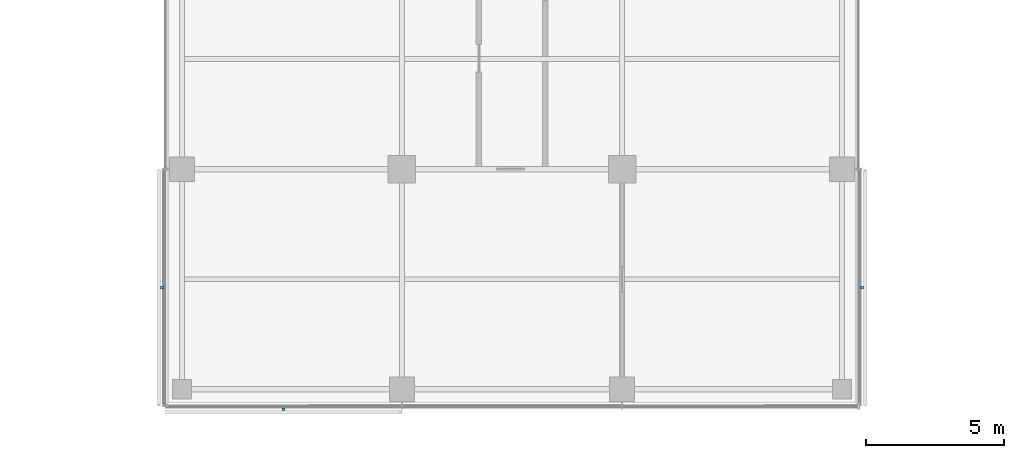
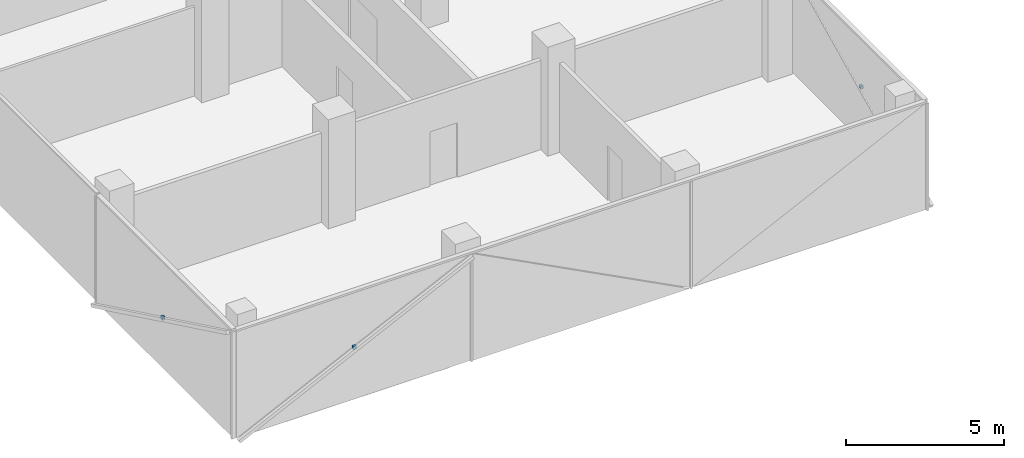
# One storey, part 18 of 22: 3 discrete accessories.
"""IFC4 building model written with IfcOpenShell, lengths in metres."""

import ifcopenshell
import ifcopenshell.guid

model = None  # the IFC model being written
_history = None  # IfcOwnerHistory: only IFC2X3 demands one
_inside = {}  # id of a spatial element -> (the spatial element, [elements in it])
_under = {}  # id of a project, library or spatial element -> (it, [spatial elements below it])
_declared = {}  # id of a project -> (the project, [libraries it declares])
_typed = {}  # id of a type object -> (the type object, [elements of that type])
_made_of = {}  # id of a material, layer set ... -> (it, [elements and type objects made of it])


def new_model(schema):
    """Start an empty IFC model of exactly this schema.

    Asked for "IFC4X3", IfcOpenShell would pick the latest addendum, in which some entities
    have other attributes; the version numbers below select the first issue.
    IFC2X3 requires an IfcOwnerHistory on every rooted entity: one is made here for all.
    """
    global model, _history
    if schema == "IFC4X3":
        model = ifcopenshell.file(schema_version=(4, 3, 0, 0))
    else:
        model = ifcopenshell.file(schema=schema)
    _inside.clear()
    _under.clear()
    _declared.clear()
    _typed.clear()
    _made_of.clear()
    _history = None
    if model.schema == "IFC2X3":
        org = make("IfcOrganization", Name="unknown")
        user = make(
            "IfcPersonAndOrganization",
            ThePerson=make("IfcPerson", FamilyName="unknown"),
            TheOrganization=org,
        )
        app = make(
            "IfcApplication",
            ApplicationDeveloper=org,
            Version="unknown",
            ApplicationFullName="unknown",
            ApplicationIdentifier="unknown",
        )
        _history = make(
            "IfcOwnerHistory",
            OwningUser=user,
            OwningApplication=app,
            ChangeAction="ADDED",
            CreationDate=0,
        )
    return model


def make(cls, **values):
    """One entity of the class cls with the attributes given. An attribute that is None is left unset."""
    return model.create_entity(
        cls, **{name: value for name, value in values.items() if value is not None}
    )


def rooted(cls, **values):
    """An entity with a GlobalId (a new one), such as an element, a storey or a relation."""
    return make(cls, GlobalId=ifcopenshell.guid.new(), OwnerHistory=_history, **values)


def si_unit(unit_type, name, prefix=None):
    """IfcSIUnit, for example si_unit("LENGTHUNIT", "METRE", prefix="MILLI")."""
    return make("IfcSIUnit", UnitType=unit_type, Prefix=prefix, Name=name)


def assignment(units):
    """IfcUnitAssignment: the units of a project."""
    return None if units is None else make("IfcUnitAssignment", Units=units)


def point(xyz):
    """IfcCartesianPoint."""
    return None if xyz is None else make("IfcCartesianPoint", Coordinates=xyz)


def direction(xyz):
    """IfcDirection."""
    return None if xyz is None else make("IfcDirection", DirectionRatios=xyz)


def frame(location, z_axis=None, x_axis=None):
    """IfcAxis2Placement3D, a coordinate frame: its origin and axes. An axis left out is left unset."""
    return make(
        "IfcAxis2Placement3D",
        Location=point(location),
        Axis=direction(z_axis),
        RefDirection=direction(x_axis),
    )


def frame_2d(location, x_axis=None):
    """IfcAxis2Placement2D, a coordinate frame in the plane: its origin and x axis."""
    return make(
        "IfcAxis2Placement2D", Location=point(location), RefDirection=direction(x_axis)
    )


def origin():
    """The frame at (0, 0, 0) with its axes left unset."""
    return frame((0.0, 0.0, 0.0))


def origin_2d():
    """The frame at (0, 0) in the plane with its x axis left unset."""
    return frame_2d((0.0, 0.0))


def place(relative_to, where):
    """IfcLocalPlacement: puts the frame where relative to a parent placement (None: the world)."""
    return make(
        "IfcLocalPlacement", PlacementRelTo=relative_to, RelativePlacement=where
    )


def context(
    kind, dimensions, precision=None, world=None, true_north=None, identifier=None
):
    """IfcGeometricRepresentationContext, for example the 3D "Model" context."""
    return make(
        "IfcGeometricRepresentationContext",
        ContextIdentifier=identifier,
        ContextType=kind,
        CoordinateSpaceDimension=dimensions,
        Precision=precision,
        WorldCoordinateSystem=world,
        TrueNorth=true_north,
    )


def subcontext(parent, identifier, kind, view, scale=None):
    """IfcGeometricRepresentationSubContext, for example "Body" below "Model"."""
    return make(
        "IfcGeometricRepresentationSubContext",
        ContextIdentifier=identifier,
        ContextType=kind,
        ParentContext=parent,
        TargetScale=scale,
        TargetView=view,
    )


def project(units=None, contexts=None):
    """IfcProject with its units and contexts."""
    return rooted(
        "IfcProject",
        Name="project",
        RepresentationContexts=contexts,
        UnitsInContext=assignment(units),
    )


def spatial(cls, under=None, at=None, **own):
    """A site, building, storey or space (cls), placed at a placement, below another one or the project."""
    s = rooted(cls, ObjectPlacement=at, **own)
    if under is not None:
        _under.setdefault(under.id(), (under, []))[1].append(s)
    return s


def profile(cls, at=None, kind="AREA", **sizes):
    """A parametric profile (cls). Its sizes go by their IFC names, for example OverallWidth=200.0."""
    return make(cls, ProfileType=kind, Position=at, **sizes)


def rectangle(**sizes):
    """IfcRectangleProfileDef."""
    return profile("IfcRectangleProfileDef", **sizes)


def extrude(swept, where, along, depth):
    """IfcExtrudedAreaSolid: the profile swept, set in the frame where, extruded along a direction by depth."""
    return make(
        "IfcExtrudedAreaSolid",
        SweptArea=swept,
        Position=where,
        ExtrudedDirection=direction(along),
        Depth=depth,
    )


def shape(context_of_items, identifier, shape_type, items):
    """IfcShapeRepresentation: the items that make up one representation, for example the "Body"."""
    return make(
        "IfcShapeRepresentation",
        ContextOfItems=context_of_items,
        RepresentationIdentifier=identifier,
        RepresentationType=shape_type,
        Items=items,
    )


def material(Name=None, Category=None):
    """IfcMaterial."""
    return make("IfcMaterial", Name=Name, Category=Category)


def made_of(thing, what):
    """Note that an element or type object is made of a material, layer set ...; save() writes the relation."""
    if what is not None:
        _made_of.setdefault(what.id(), (what, []))[1].append(thing)
    return thing


def type_object(cls, material=None, **own):
    """A type object (cls), such as IfcWallType, which elements share."""
    return made_of(rooted(cls, **own), material)


def element(
    cls,
    number,
    at=None,
    inside=None,
    cuts=None,
    type_object=None,
    material=None,
    context=None,
    identifier="Body",
    shape_type=None,
    held_by="IfcProductDefinitionShape",
    body=None,
    shapes=None,
    **own,
):
    """One element of the class cls, such as IfcWall. Its Tag is "e" and its number.

    at: its placement. inside: the storey or other place that contains it. cuts: it is an
    opening in that element (IfcRelVoidsElement). A single representation is given by context,
    identifier, shape_type and body (its items); several are given by shapes. held_by: the class
    of the entity that holds the representations. save() writes the other relations.
    """
    e = rooted(cls, Tag="e%d" % number, ObjectPlacement=at, **own)
    if body is not None:
        shapes = [shape(context, identifier, shape_type, body)]
    if shapes is not None:
        e.Representation = make(held_by, Representations=shapes)
    if inside is not None:
        _inside.setdefault(inside.id(), (inside, []))[1].append(e)
    if cuts is not None:
        rooted(
            "IfcRelVoidsElement", RelatingBuildingElement=cuts, RelatedOpeningElement=e
        )
    if type_object is not None:
        _typed.setdefault(type_object.id(), (type_object, []))[1].append(e)
    return made_of(e, material)


def aggregate(whole, parts):
    """IfcRelAggregates: a whole, such as a stair, and the parts it consists of."""
    return rooted("IfcRelAggregates", RelatingObject=whole, RelatedObjects=parts)


def save(model, path):
    """Write the relations noted so far, then the file.

    IfcRelAggregates (storeys below a building ...), IfcRelContainedInSpatialStructure (elements
    in a storey), IfcRelDefinesByType, IfcRelAssociatesMaterial and IfcRelDeclares: one each for
    every whole, place, type object, material and project.
    """
    for whole, parts in _under.values():
        aggregate(whole, parts)
    for where, things in _inside.values():
        rooted(
            "IfcRelContainedInSpatialStructure",
            RelatedElements=things,
            RelatingStructure=where,
        )
    for kind, things in _typed.values():
        rooted("IfcRelDefinesByType", RelatedObjects=things, RelatingType=kind)
    for what, things in _made_of.values():
        rooted("IfcRelAssociatesMaterial", RelatedObjects=things, RelatingMaterial=what)
    for by, libraries in _declared.values():
        rooted("IfcRelDeclares", RelatingContext=by, RelatedDefinitions=libraries)
    model.write(path)


model = new_model("IFC4")

# Units and contexts
model_context = context("Model", 3, precision=1e-05, world=origin(), true_north=direction((0.0, 1.0)))
body_context = subcontext(model_context, "Body", "Model", "MODEL_VIEW")
ifc_project = project(units=[si_unit("LENGTHUNIT", "METRE"), si_unit("AREAUNIT", "SQUARE_METRE"), si_unit("VOLUMEUNIT", "CUBIC_METRE"), si_unit("PLANEANGLEUNIT", "RADIAN"), si_unit("MASSUNIT", "GRAM", prefix="KILO")], contexts=[model_context])

# Site, building, storey
site_placement = place(None, origin())
site = spatial("IfcSite", under=ifc_project, at=site_placement, CompositionType="ELEMENT")
building_placement = place(site_placement, origin())
building = spatial("IfcBuilding", under=site, at=building_placement, Name="Crosswind Convention Tower", CompositionType="ELEMENT")
storey_placement = place(building_placement, frame((0.0, 0.0, 142.10009765625)))
storey = spatial("IfcBuildingStorey", under=building, at=storey_placement, Name="L29", CompositionType="ELEMENT", Elevation=142.10009765625)

# Discrete accessories
ifc_material = material(Name="Stainless steel", Category="steel")
discrete_accessory_type = type_object("IfcDiscreteAccessoryType", Name="BAGUETTE BRACKET BK3", PredefinedType="BRACKET", material=ifc_material)
for number, where, z_axis, x_axis, name in (
    (1, (112.27392578125, 75.695068359375, 1.704833984375), (0.0, 0.0, 1.0), (0.0, -1.0, 0.0), "BK3 baguette bracket"),
    (2, (116.695068359375, 71.27392578125, 1.704833984375), (0.0, 0.0, 1.0), (1.0, 0.0, 0.0), "BK3 baguette bracket"),
    (3, (137.72607421875, 75.695068359375, 1.704833984375), (0.0, 0.0, 1.0), (0.0, 1.0, 0.0), "BK3 baguette bracket"),
):
    element("IfcDiscreteAccessory", number, at=place(storey_placement, frame(where, z_axis=z_axis, x_axis=x_axis)), inside=storey, type_object=discrete_accessory_type, Name=name, PredefinedType="BRACKET", context=body_context, shape_type="SweptSolid", body=[
        extrude(rectangle(XDim=0.1201171875, YDim=0.10009765625, at=origin_2d()), origin(), (0.0, 0.0, 1.0), 0.1201171875),
    ])

save(model, "model.ifc")
